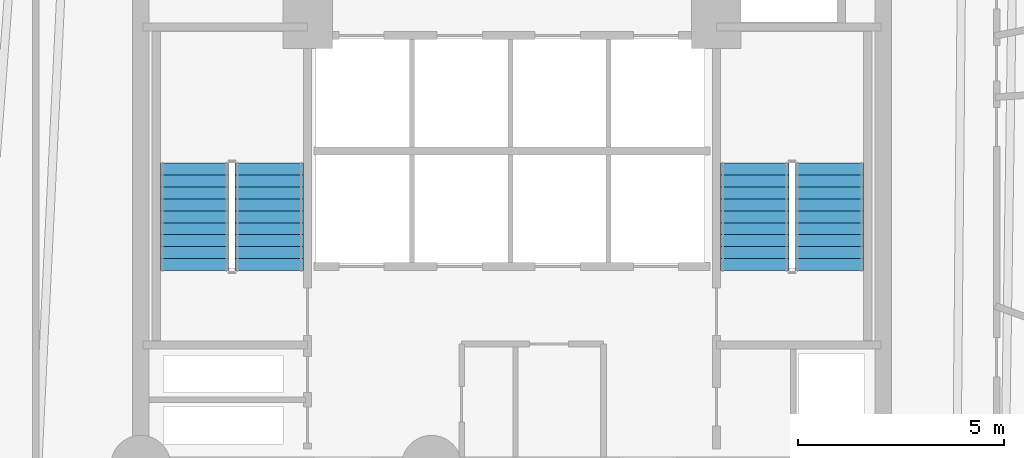
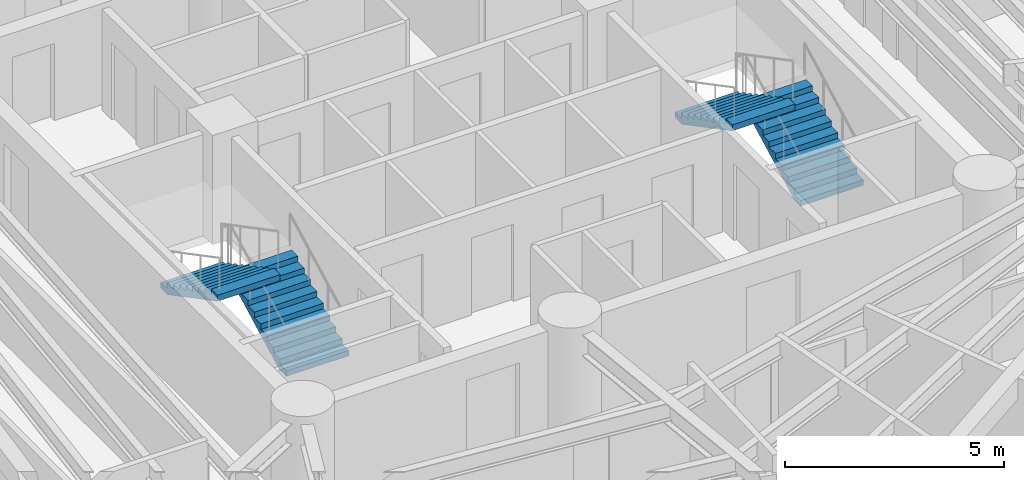
# One storey, part 7 of 9: 4 stair flights, 2 elements without a shape of their own.
"""IFC4 building model written with IfcOpenShell, lengths in metres."""

from ifc_helpers import new_model, si_unit, direction, frame, origin, place, context, subcontext, project, spatial, polyline, outline, extrude, material, type_object, element, aggregate, save


model = new_model("IFC4")

# Units and contexts
model_context = context("Model", 3, precision=1e-05, world=origin(), true_north=direction((0.0, 1.0)))
body_context = subcontext(model_context, "Body", "Model", "MODEL_VIEW")
ifc_project = project(units=[si_unit("LENGTHUNIT", "METRE"), si_unit("AREAUNIT", "SQUARE_METRE"), si_unit("VOLUMEUNIT", "CUBIC_METRE"), si_unit("PLANEANGLEUNIT", "RADIAN"), si_unit("MASSUNIT", "GRAM", prefix="KILO")], contexts=[model_context])

# Site, building, storey
site_placement = place(None, origin())
site = spatial("IfcSite", under=ifc_project, at=site_placement, CompositionType="ELEMENT")
building_placement = place(site_placement, origin())
building = spatial("IfcBuilding", under=site, at=building_placement, Name="Karkom Vertical University and Central Library", CompositionType="ELEMENT")
storey_placement = place(building_placement, frame((0.0, 0.0, 96.199951171875)))
storey = spatial("IfcBuildingStorey", under=building, at=storey_placement, Name="L25", CompositionType="ELEMENT", Elevation=96.199951171875)

# Stair, stair flights
ifc_material = material(Name="Concrete C45/55", Category="concrete")
stair_type = type_object("IfcStairType", Name="INT-STR-ST-MAIN", PredefinedType="HALF_TURN_STAIR", material=ifc_material)
stair_1_placement = place(storey_placement, origin())
stair_1 = element("IfcStair", 1, at=stair_1_placement, inside=storey, type_object=stair_type, Name="Level 25 Tower Protected Exit Stair ST-1", PredefinedType="HALF_TURN_STAIR")
stair_flight_type = type_object("IfcStairFlightType", Name="INT-SFL-ST-MAIN", PredefinedType="STRAIGHT", material=ifc_material)
stair_flight_1_placement = place(storey_placement, frame((22.614990234375, 23.02001953125, 0.0), z_axis=(0.0, 0.0, 1.0), x_axis=(0.0, 1.0, 0.0)))
stair_flight_1 = element("IfcStairFlight", 2, at=stair_flight_1_placement, type_object=stair_flight_type, Name="ST-1 flight 1", NumberOfRisers=10, NumberOfTreads=9, PredefinedType="STRAIGHT", RiserHeight=0.1525, TreadLength=0.29, context=body_context, shape_type="SweptSolid", body=[
    extrude(outline(polyline([(0.0, 0.0), (0.0, 0.152587890625), (0.2900390625, 0.152587890625), (0.2900390625, 0.304931640625), (0.580078125, 0.304931640625), (0.580078125, 0.45751953125), (0.8701171875, 0.45751953125), (0.8701171875, 0.610107421875), (1.159912109375, 0.610107421875), (1.159912109375, 0.762451171875), (1.449951171875, 0.762451171875), (1.449951171875, 0.9150390625), (1.739990234375, 0.9150390625), (1.739990234375, 1.0673828125), (2.030029296875, 1.0673828125), (2.030029296875, 1.219970703125), (2.320068359375, 1.219970703125), (2.320068359375, 1.37255859375), (2.610107421875, 1.37255859375), (2.610107421875, 1.52490234375), (2.610107421875, 1.203125), (0.322021484375, 0.0), (0.0, 0.0)])), frame((0.0, 0.824951171875, 0.0), z_axis=(0.0, -1.0, 0.0), x_axis=(1.0, 0.0, 0.0)), (0.0, 0.0, 1.0), 1.64990234375),
])
stair_flight_2_placement = place(storey_placement, frame((20.804931640625, 25.6298828125, 1.525146484375), z_axis=(0.0, 0.0, 1.0), x_axis=(0.0, -1.0, 0.0)))
stair_flight_2 = element("IfcStairFlight", 3, at=stair_flight_2_placement, type_object=stair_flight_type, Name="ST-1 flight 2", NumberOfRisers=10, NumberOfTreads=9, PredefinedType="STRAIGHT", RiserHeight=0.1525, TreadLength=0.29, context=body_context, shape_type="SweptSolid", body=[
    extrude(outline(polyline([(0.0, 0.0), (0.0, 0.152587890625), (0.2900390625, 0.152587890625), (0.2900390625, 0.304931640625), (0.580078125, 0.304931640625), (0.580078125, 0.45751953125), (0.8701171875, 0.45751953125), (0.8701171875, 0.610107421875), (1.159912109375, 0.610107421875), (1.159912109375, 0.762451171875), (1.449951171875, 0.762451171875), (1.449951171875, 0.9150390625), (1.739990234375, 0.9150390625), (1.739990234375, 1.0673828125), (2.030029296875, 1.0673828125), (2.030029296875, 1.219970703125), (2.320068359375, 1.219970703125), (2.320068359375, 1.37255859375), (2.610107421875, 1.37255859375), (2.610107421875, 1.52490234375), (2.610107421875, 1.203125), (0.322021484375, 0.0), (0.0, 0.0)])), frame((0.0, 0.824951171875, 0.0), z_axis=(0.0, -1.0, 0.0), x_axis=(1.0, 0.0, 0.0)), (0.0, 0.0, 1.0), 1.64990234375),
])
aggregate(stair_1, [stair_flight_1, stair_flight_2])

stair_2_placement = place(storey_placement, origin())
stair_2 = element("IfcStair", 4, at=stair_2_placement, inside=storey, type_object=stair_type, Name="Level 25 Tower Protected Exit Stair ST-2", PredefinedType="HALF_TURN_STAIR")
stair_flight_3_placement = place(storey_placement, frame((36.195068359375, 23.02001953125, 0.0), z_axis=(0.0, 0.0, 1.0), x_axis=(0.0, 1.0, 0.0)))
stair_flight_3 = element("IfcStairFlight", 5, at=stair_flight_3_placement, type_object=stair_flight_type, Name="ST-2 flight 1", NumberOfRisers=10, NumberOfTreads=9, PredefinedType="STRAIGHT", RiserHeight=0.1525, TreadLength=0.29, context=body_context, shape_type="SweptSolid", body=[
    extrude(outline(polyline([(0.0, 0.0), (0.0, 0.152587890625), (0.2900390625, 0.152587890625), (0.2900390625, 0.304931640625), (0.580078125, 0.304931640625), (0.580078125, 0.45751953125), (0.8701171875, 0.45751953125), (0.8701171875, 0.610107421875), (1.159912109375, 0.610107421875), (1.159912109375, 0.762451171875), (1.449951171875, 0.762451171875), (1.449951171875, 0.9150390625), (1.739990234375, 0.9150390625), (1.739990234375, 1.0673828125), (2.030029296875, 1.0673828125), (2.030029296875, 1.219970703125), (2.320068359375, 1.219970703125), (2.320068359375, 1.37255859375), (2.610107421875, 1.37255859375), (2.610107421875, 1.52490234375), (2.610107421875, 1.203125), (0.322021484375, 0.0), (0.0, 0.0)])), frame((0.0, 0.824951171875, 0.0), z_axis=(0.0, -1.0, 0.0), x_axis=(1.0, 0.0, 0.0)), (0.0, 0.0, 1.0), 1.64990234375),
])
stair_flight_4_placement = place(storey_placement, frame((34.385009765625, 25.6298828125, 1.525146484375), z_axis=(0.0, 0.0, 1.0), x_axis=(0.0, -1.0, 0.0)))
stair_flight_4 = element("IfcStairFlight", 6, at=stair_flight_4_placement, type_object=stair_flight_type, Name="ST-2 flight 2", NumberOfRisers=10, NumberOfTreads=9, PredefinedType="STRAIGHT", RiserHeight=0.1525, TreadLength=0.29, context=body_context, shape_type="SweptSolid", body=[
    extrude(outline(polyline([(0.0, 0.0), (0.0, 0.152587890625), (0.2900390625, 0.152587890625), (0.2900390625, 0.304931640625), (0.580078125, 0.304931640625), (0.580078125, 0.45751953125), (0.8701171875, 0.45751953125), (0.8701171875, 0.610107421875), (1.159912109375, 0.610107421875), (1.159912109375, 0.762451171875), (1.449951171875, 0.762451171875), (1.449951171875, 0.9150390625), (1.739990234375, 0.9150390625), (1.739990234375, 1.0673828125), (2.030029296875, 1.0673828125), (2.030029296875, 1.219970703125), (2.320068359375, 1.219970703125), (2.320068359375, 1.37255859375), (2.610107421875, 1.37255859375), (2.610107421875, 1.52490234375), (2.610107421875, 1.203125), (0.322021484375, 0.0), (0.0, 0.0)])), frame((0.0, 0.824951171875, 0.0), z_axis=(0.0, -1.0, 0.0), x_axis=(1.0, 0.0, 0.0)), (0.0, 0.0, 1.0), 1.64990234375),
])
aggregate(stair_2, [stair_flight_3, stair_flight_4])

save(model, "model.ifc")
